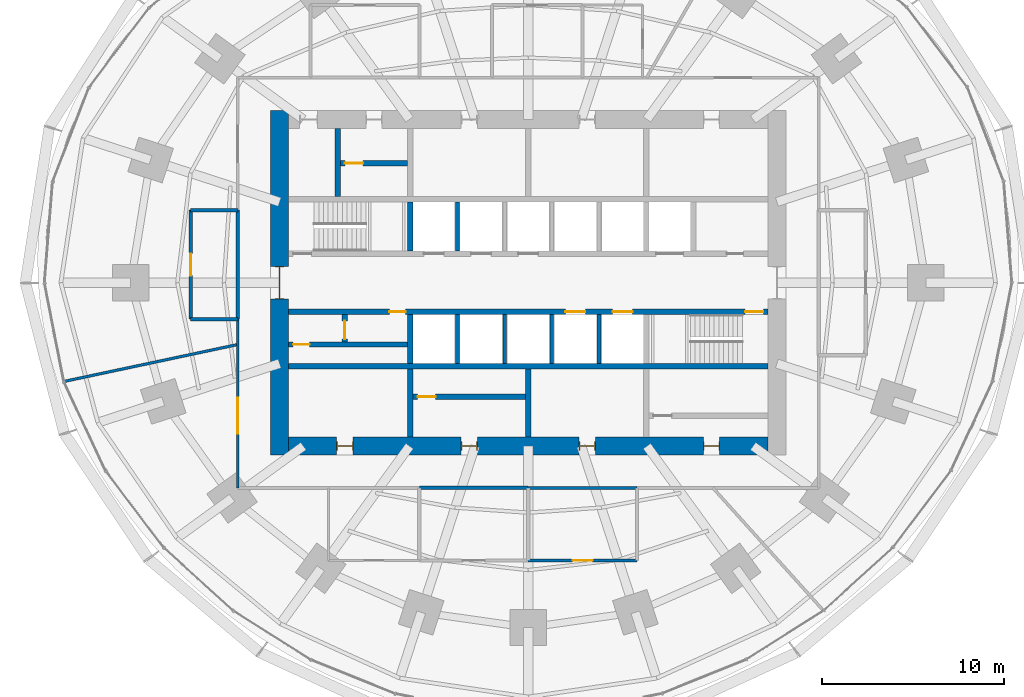
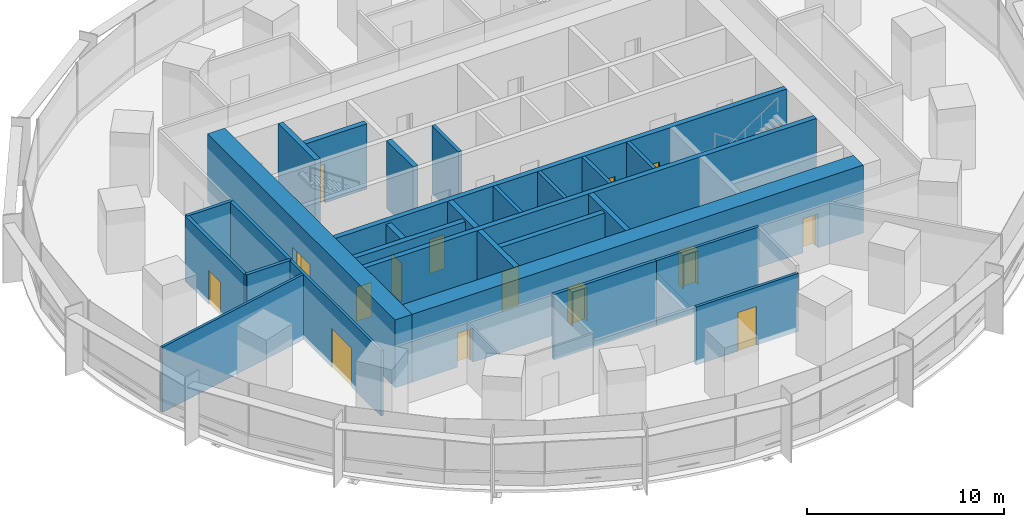
# One storey, part 11 of 15: 27 walls, 16 doors, 16 openings.
"""IFC4 building model written with IfcOpenShell, lengths in metres."""

from ifc_helpers import new_model, si_unit, direction, frame, frame_2d, origin, place, context, subcontext, project, spatial, rectangle, extrude, material, layer, layer_set, type_object, element, fill, save


model = new_model("IFC4")

# Units and contexts
model_context = context("Model", 3, precision=1e-05, world=origin(), true_north=direction((0.0, 1.0)))
body_context = subcontext(model_context, "Body", "Model", "MODEL_VIEW")
ifc_project = project(units=[si_unit("LENGTHUNIT", "METRE"), si_unit("AREAUNIT", "SQUARE_METRE"), si_unit("VOLUMEUNIT", "CUBIC_METRE"), si_unit("PLANEANGLEUNIT", "RADIAN"), si_unit("MASSUNIT", "GRAM", prefix="KILO")], contexts=[model_context])

# Site, building, storey
site_placement = place(None, origin())
site = spatial("IfcSite", under=ifc_project, at=site_placement, CompositionType="ELEMENT")
building_placement = place(site_placement, origin())
building = spatial("IfcBuilding", under=site, at=building_placement, Name="Marramba Exchange Tower", CompositionType="ELEMENT")
storey_placement = place(building_placement, frame((0.0, 0.0, 53.199951171875)))
storey = spatial("IfcBuildingStorey", under=building, at=storey_placement, Name="L12", CompositionType="ELEMENT", Elevation=53.199951171875)

# Wall, opening, door
ifc_material_1 = material(Name="Plasterboard on staggered double steel studs, acoustic insulation", Category="steel")
ifc_layer_1 = layer(ifc_material_1, 0.169921875)
ifc_layer_set_1 = layer_set([ifc_layer_1], Name="Acoustic partition 170")
wall_type_1 = type_object("IfcWallType", Name="Acoustic partition 170", PredefinedType="PARTITIONING", material=ifc_layer_set_1)
wall_1_placement = place(storey_placement, frame((0.0, -15.300048828125, 0.0), z_axis=(0.0, 0.0, 1.0), x_axis=(1.0, 0.0, 0.0)))
wall_1 = element("IfcWall", 1, at=wall_1_placement, inside=storey, type_object=wall_type_1, Name="Acoustic partition L12 11", PredefinedType="PARTITIONING", context=body_context, shape_type="SweptSolid", body=[
    extrude(rectangle(XDim=6.0, YDim=0.169921875, at=frame_2d((3.0, 0.0))), origin(), (0.0, 0.0, 1.0), 3.5859375),
])
opening_1_placement = place(wall_1_placement, frame((2.449951171875, 0.0, 0.0)))
opening_1 = element("IfcOpeningElement", 2, at=opening_1_placement, cuts=wall_1, Name="Opening D15", PredefinedType="OPENING", context=body_context, shape_type="SweptSolid", body=[
    extrude(rectangle(XDim=1.10009765625, YDim=2.39990234375, at=frame_2d((0.550048828125, 1.199951171875))), frame((0.0, 0.094970703125, 0.0), z_axis=(0.0, -1.0, 0.0), x_axis=(1.0, 0.0, 0.0)), (0.0, 0.0, 1.0), 0.18994140625),
])
ifc_material_2 = material(Name="Timber door", Category="wood")
door_type_1 = type_object("IfcDoorType", Name="Glazed meeting room door 1100x2400", OperationType="SINGLE_SWING_LEFT", PredefinedType="DOOR", material=ifc_material_2)
door_1_placement = place(opening_1_placement, origin())
door_1 = element("IfcDoor", 3, at=door_1_placement, inside=storey, type_object=door_type_1, Name="D15 Meeting Room 3 L12", OperationType="SINGLE_SWING_RIGHT", OverallHeight=2.39990234375, OverallWidth=1.10009765625, PredefinedType="DOOR", context=body_context, shape_type="SweptSolid", body=[
    extrude(rectangle(XDim=1.10009765625, YDim=2.39990234375, at=frame_2d((0.550048828125, 1.199951171875))), frame((0.0, 0.02490234375, 0.0), z_axis=(0.0, -1.0, 0.0), x_axis=(1.0, 0.0, 0.0)), (0.0, 0.0, 1.0), 0.050048828125),
])
fill(opening_1, door_1)

# Walls
wall_2_placement = place(storey_placement, frame((6.0, -11.300048828125, 0.0), z_axis=(0.0, 0.0, 1.0), x_axis=(-1.0, 0.0, 0.0)))
element("IfcWall", 4, at=wall_2_placement, inside=storey, type_object=wall_type_1, Name="Acoustic partition L12 12", PredefinedType="PARTITIONING", context=body_context, shape_type="SweptSolid", body=[
    extrude(rectangle(XDim=6.0, YDim=0.169921875, at=frame_2d((3.0, 0.0))), origin(), (0.0, 0.0, 1.0), 4.0400390625),
])
ifc_material_3 = material(Name="Concrete N50", Category="concrete")
ifc_layer_2 = layer(ifc_material_3, 0.199951171875)
ifc_layer_set_2 = layer_set([ifc_layer_2], Name="Core shaft wall 200")
wall_type_2 = type_object("IfcWallType", Name="Core shaft wall 200", PredefinedType="SHEAR", material=ifc_layer_set_2)
for number, where, z_axis, x_axis, name in (
    (5, (-3.89990234375, 1.75, 0.0), (0.0, 0.0, 1.0), (0.0, 1.0, 0.0), "Core wall SHN1 L12"),
    (6, (-3.89990234375, -1.75, 0.0), (0.0, 0.0, 1.0), (0.0, -1.0, 0.0), "Core wall SHS1 L12"),
    (7, (-1.300048828125, -1.75, 0.0), (0.0, 0.0, 1.0), (0.0, -1.0, 0.0), "Core wall SHS2 L12"),
    (8, (1.300048828125, -1.75, 0.0), (0.0, 0.0, 1.0), (0.0, -1.0, 0.0), "Core wall SHS3 L12"),
    (9, (3.89990234375, -1.75, 0.0), (0.0, 0.0, 1.0), (0.0, -1.0, 0.0), "Core wall SHS4 L12"),
):
    element("IfcWall", number, at=place(storey_placement, frame(where, z_axis=z_axis, x_axis=x_axis)), inside=storey, type_object=wall_type_2, Name=name, PredefinedType="SHEAR", context=body_context, shape_type="SweptSolid", body=[
        extrude(rectangle(XDim=2.699951171875, YDim=0.199951171875, at=frame_2d((1.35009765625, 0.0))), origin(), (0.0, 0.0, 1.0), 4.199951171875),
    ])

# Wall, openings, doors
ifc_layer_3 = layer(ifc_material_3, 1.0)
ifc_layer_set_3 = layer_set([ifc_layer_3], Name="Core wall 1000")
wall_type_3 = type_object("IfcWallType", Name="Core wall 1000", PredefinedType="SHEAR", material=ifc_layer_set_3)
wall_3_placement = place(storey_placement, frame((-13.199951171875, -9.0, 0.0), z_axis=(0.0, 0.0, 1.0), x_axis=(1.0, 0.0, 0.0)))
wall_3 = element("IfcWall", 10, at=wall_3_placement, inside=storey, type_object=wall_type_3, Name="Core wall S L12", PredefinedType="SHEAR", context=body_context, shape_type="SweptSolid", body=[
    extrude(rectangle(XDim=26.39990234375, YDim=1.0, at=frame_2d((13.199951171875, 0.0))), origin(), (0.0, 0.0, 1.0), 4.199951171875),
])
opening_2_placement = place(wall_3_placement, frame((2.64990234375, 0.0, 0.0)))
opening_2 = element("IfcOpeningElement", 11, at=opening_2_placement, cuts=wall_3, Name="Opening D5", PredefinedType="OPENING", context=body_context, shape_type="SweptSolid", body=[
    extrude(rectangle(XDim=0.89990234375, YDim=2.10009765625, at=frame_2d((0.449951171875, 1.050048828125))), frame((0.0, 0.510009765625, 0.0), z_axis=(0.0, -1.0, 0.0), x_axis=(1.0, 0.0, 0.0)), (0.0, 0.0, 1.0), 1.02001953125),
])
opening_3_placement = place(wall_3_placement, frame((9.5, 0.0, 0.0)))
opening_3 = element("IfcOpeningElement", 12, at=opening_3_placement, cuts=wall_3, Name="Opening D5", PredefinedType="OPENING", context=body_context, shape_type="SweptSolid", body=[
    extrude(rectangle(XDim=0.89990234375, YDim=2.10009765625, at=frame_2d((0.449951171875, 1.050048828125))), frame((0.0, 0.510009765625, 0.0), z_axis=(0.0, -1.0, 0.0), x_axis=(1.0, 0.0, 0.0)), (0.0, 0.0, 1.0), 1.02001953125),
])
opening_4_placement = place(wall_3_placement, frame((16.0, 0.0, 0.0)))
opening_4 = element("IfcOpeningElement", 13, at=opening_4_placement, cuts=wall_3, Name="Opening D5", PredefinedType="OPENING", context=body_context, shape_type="SweptSolid", body=[
    extrude(rectangle(XDim=0.89990234375, YDim=2.10009765625, at=frame_2d((0.449951171875, 1.050048828125))), frame((0.0, 0.510009765625, 0.0), z_axis=(0.0, -1.0, 0.0), x_axis=(1.0, 0.0, 0.0)), (0.0, 0.0, 1.0), 1.02001953125),
])
opening_5_placement = place(wall_3_placement, frame((22.85009765625, 0.0, 0.0)))
opening_5 = element("IfcOpeningElement", 14, at=opening_5_placement, cuts=wall_3, Name="Opening D5", PredefinedType="OPENING", context=body_context, shape_type="SweptSolid", body=[
    extrude(rectangle(XDim=0.89990234375, YDim=2.10009765625, at=frame_2d((0.449951171875, 1.050048828125))), frame((0.0, 0.510009765625, 0.0), z_axis=(0.0, -1.0, 0.0), x_axis=(1.0, 0.0, 0.0)), (0.0, 0.0, 1.0), 1.02001953125),
])
ifc_material_4 = material(Name="Steel-framed door", Category="steel")
door_type_2 = type_object("IfcDoorType", Name="Service door 900x2100", OperationType="SINGLE_SWING_LEFT", PredefinedType="DOOR", material=ifc_material_4)
door_2_placement = place(opening_2_placement, origin())
door_2 = element("IfcDoor", 15, at=door_2_placement, inside=storey, type_object=door_type_2, Name="D5 ahu L12", OperationType="SINGLE_SWING_LEFT", OverallHeight=2.10009765625, OverallWidth=0.89990234375, PredefinedType="DOOR", context=body_context, shape_type="SweptSolid", body=[
    extrude(rectangle(XDim=0.81982421875, YDim=2.06005859375, at=frame_2d((0.449951171875, 1.030029296875))), frame((0.0, 0.02490234375, 0.0), z_axis=(0.0, -1.0, 0.0), x_axis=(1.0, 0.0, 0.0)), (0.0, 0.0, 1.0), 0.050048828125),
    extrude(rectangle(XDim=0.04, YDim=2.10009765625, at=frame_2d((0.02001953125, 1.050048828125))), frame((0.0, 0.25, 0.0), z_axis=(0.0, -1.0, 0.0), x_axis=(1.0, 0.0, 0.0)), (0.0, 0.0, 1.0), 0.5),
    extrude(rectangle(XDim=0.04, YDim=2.10009765625, at=frame_2d((0.8798828125, 1.050048828125))), frame((0.0, 0.25, 0.0), z_axis=(0.0, -1.0, 0.0), x_axis=(1.0, 0.0, 0.0)), (0.0, 0.0, 1.0), 0.5),
    extrude(rectangle(XDim=0.81982421875, YDim=0.04, at=frame_2d((0.449951171875, 2.080078125))), frame((0.0, 0.25, 0.0), z_axis=(0.0, -1.0, 0.0), x_axis=(1.0, 0.0, 0.0)), (0.0, 0.0, 1.0), 0.5),
])
fill(opening_2, door_2)
door_3_placement = place(opening_3_placement, origin())
door_3 = element("IfcDoor", 16, at=door_3_placement, inside=storey, type_object=door_type_2, Name="D5 store L12", OperationType="SINGLE_SWING_RIGHT", OverallHeight=2.10009765625, OverallWidth=0.89990234375, PredefinedType="DOOR", context=body_context, shape_type="SweptSolid", body=[
    extrude(rectangle(XDim=0.81982421875, YDim=2.06005859375, at=frame_2d((0.449951171875, 1.030029296875))), frame((0.0, 0.02490234375, 0.0), z_axis=(0.0, -1.0, 0.0), x_axis=(1.0, 0.0, 0.0)), (0.0, 0.0, 1.0), 0.050048828125),
    extrude(rectangle(XDim=0.04, YDim=2.10009765625, at=frame_2d((0.02001953125, 1.050048828125))), frame((0.0, 0.25, 0.0), z_axis=(0.0, -1.0, 0.0), x_axis=(1.0, 0.0, 0.0)), (0.0, 0.0, 1.0), 0.5),
    extrude(rectangle(XDim=0.04, YDim=2.10009765625, at=frame_2d((0.8798828125, 1.050048828125))), frame((0.0, 0.25, 0.0), z_axis=(0.0, -1.0, 0.0), x_axis=(1.0, 0.0, 0.0)), (0.0, 0.0, 1.0), 0.5),
    extrude(rectangle(XDim=0.81982421875, YDim=0.04, at=frame_2d((0.449951171875, 2.080078125))), frame((0.0, 0.25, 0.0), z_axis=(0.0, -1.0, 0.0), x_axis=(1.0, 0.0, 0.0)), (0.0, 0.0, 1.0), 0.5),
])
fill(opening_3, door_3)
door_4_placement = place(opening_4_placement, origin())
door_4 = element("IfcDoor", 17, at=door_4_placement, inside=storey, type_object=door_type_2, Name="D5 switch L12", OperationType="SINGLE_SWING_RIGHT", OverallHeight=2.10009765625, OverallWidth=0.89990234375, PredefinedType="DOOR", context=body_context, shape_type="SweptSolid", body=[
    extrude(rectangle(XDim=0.81982421875, YDim=2.06005859375, at=frame_2d((0.449951171875, 1.030029296875))), frame((0.0, 0.02490234375, 0.0), z_axis=(0.0, -1.0, 0.0), x_axis=(1.0, 0.0, 0.0)), (0.0, 0.0, 1.0), 0.050048828125),
    extrude(rectangle(XDim=0.04, YDim=2.10009765625, at=frame_2d((0.02001953125, 1.050048828125))), frame((0.0, 0.25, 0.0), z_axis=(0.0, -1.0, 0.0), x_axis=(1.0, 0.0, 0.0)), (0.0, 0.0, 1.0), 0.5),
    extrude(rectangle(XDim=0.04, YDim=2.10009765625, at=frame_2d((0.8798828125, 1.050048828125))), frame((0.0, 0.25, 0.0), z_axis=(0.0, -1.0, 0.0), x_axis=(1.0, 0.0, 0.0)), (0.0, 0.0, 1.0), 0.5),
    extrude(rectangle(XDim=0.81982421875, YDim=0.04, at=frame_2d((0.449951171875, 2.080078125))), frame((0.0, 0.25, 0.0), z_axis=(0.0, -1.0, 0.0), x_axis=(1.0, 0.0, 0.0)), (0.0, 0.0, 1.0), 0.5),
])
fill(opening_4, door_4)
door_5_placement = place(opening_5_placement, origin())
door_5 = element("IfcDoor", 18, at=door_5_placement, inside=storey, type_object=door_type_2, Name="D5 cstore L12", OperationType="SINGLE_SWING_RIGHT", OverallHeight=2.10009765625, OverallWidth=0.89990234375, PredefinedType="DOOR", context=body_context, shape_type="SweptSolid", body=[
    extrude(rectangle(XDim=0.81982421875, YDim=2.06005859375, at=frame_2d((0.449951171875, 1.030029296875))), frame((0.0, 0.02490234375, 0.0), z_axis=(0.0, -1.0, 0.0), x_axis=(1.0, 0.0, 0.0)), (0.0, 0.0, 1.0), 0.050048828125),
    extrude(rectangle(XDim=0.04, YDim=2.10009765625, at=frame_2d((0.02001953125, 1.050048828125))), frame((0.0, 0.25, 0.0), z_axis=(0.0, -1.0, 0.0), x_axis=(1.0, 0.0, 0.0)), (0.0, 0.0, 1.0), 0.5),
    extrude(rectangle(XDim=0.04, YDim=2.10009765625, at=frame_2d((0.8798828125, 1.050048828125))), frame((0.0, 0.25, 0.0), z_axis=(0.0, -1.0, 0.0), x_axis=(1.0, 0.0, 0.0)), (0.0, 0.0, 1.0), 0.5),
    extrude(rectangle(XDim=0.81982421875, YDim=0.04, at=frame_2d((0.449951171875, 2.080078125))), frame((0.0, 0.25, 0.0), z_axis=(0.0, -1.0, 0.0), x_axis=(1.0, 0.0, 0.0)), (0.0, 0.0, 1.0), 0.5),
])
fill(opening_5, door_5)

# Wall, opening, door
wall_4_placement = place(storey_placement, frame((-13.699951171875, 9.5, 0.0), z_axis=(0.0, 0.0, 1.0), x_axis=(0.0, -1.0, 0.0)))
wall_4 = element("IfcWall", 19, at=wall_4_placement, inside=storey, type_object=wall_type_3, Name="Core wall W L12", PredefinedType="SHEAR", context=body_context, shape_type="SweptSolid", body=[
    extrude(rectangle(XDim=19.0, YDim=1.0, at=frame_2d((9.5, 0.0))), origin(), (0.0, 0.0, 1.0), 4.199951171875),
])
opening_6_placement = place(wall_4_placement, frame((8.60009765625, 0.0, 0.0)))
opening_6 = element("IfcOpeningElement", 20, at=opening_6_placement, cuts=wall_4, Name="Opening D1", PredefinedType="OPENING", context=body_context, shape_type="SweptSolid", body=[
    extrude(rectangle(XDim=1.800048828125, YDim=2.39990234375, at=frame_2d((0.89990234375, 1.199951171875))), frame((0.0, 0.510009765625, 0.0), z_axis=(0.0, -1.0, 0.0), x_axis=(1.0, 0.0, 0.0)), (0.0, 0.0, 1.0), 1.02001953125),
])
door_type_3 = type_object("IfcDoorType", Name="Lobby exit door 1800x2400", OperationType="DOUBLE_DOOR_SINGLE_SWING", PredefinedType="DOOR", material=ifc_material_4)
door_6_placement = place(opening_6_placement, origin())
door_6 = element("IfcDoor", 21, at=door_6_placement, inside=storey, type_object=door_type_3, Name="D1 lobby exit west L12", OperationType="DOUBLE_DOOR_SINGLE_SWING", OverallHeight=2.39990234375, OverallWidth=1.800048828125, PredefinedType="DOOR", context=body_context, shape_type="SweptSolid", body=[
    extrude(rectangle(XDim=1.719970703125, YDim=2.35986328125, at=frame_2d((0.89990234375, 1.179931640625))), frame((0.0, 0.02490234375, 0.0), z_axis=(0.0, -1.0, 0.0), x_axis=(1.0, 0.0, 0.0)), (0.0, 0.0, 1.0), 0.050048828125),
    extrude(rectangle(XDim=0.04, YDim=2.39990234375, at=frame_2d((0.02001953125, 1.199951171875))), frame((0.0, 0.25, 0.0), z_axis=(0.0, -1.0, 0.0), x_axis=(1.0, 0.0, 0.0)), (0.0, 0.0, 1.0), 0.5),
    extrude(rectangle(XDim=0.04, YDim=2.39990234375, at=frame_2d((1.780029296875, 1.199951171875))), frame((0.0, 0.25, 0.0), z_axis=(0.0, -1.0, 0.0), x_axis=(1.0, 0.0, 0.0)), (0.0, 0.0, 1.0), 0.5),
    extrude(rectangle(XDim=1.719970703125, YDim=0.04, at=frame_2d((0.89990234375, 2.3798828125))), frame((0.0, 0.25, 0.0), z_axis=(0.0, -1.0, 0.0), x_axis=(1.0, 0.0, 0.0)), (0.0, 0.0, 1.0), 0.5),
])
fill(opening_6, door_6)

# Wall, openings, doors
ifc_layer_4 = layer(ifc_material_3, 0.300048828125)
ifc_layer_set_4 = layer_set([ifc_layer_4], Name="Core wall 300")
wall_type_4 = type_object("IfcWallType", Name="Core wall 300", PredefinedType="SHEAR", material=ifc_layer_set_4)
wall_5_placement = place(storey_placement, frame((-13.199951171875, -1.60009765625, 0.0), z_axis=(0.0, 0.0, 1.0), x_axis=(1.0, 0.0, 0.0)))
wall_5 = element("IfcWall", 22, at=wall_5_placement, inside=storey, type_object=wall_type_4, Name="Core wall LS L12", PredefinedType="SHEAR", context=body_context, shape_type="SweptSolid", body=[
    extrude(rectangle(XDim=26.39990234375, YDim=0.300048828125, at=frame_2d((13.199951171875, 0.0))), origin(), (0.0, 0.0, 1.0), 4.199951171875),
])
opening_7_placement = place(wall_5_placement, frame((25.14990234375, 0.0, 0.0)))
opening_7 = element("IfcOpeningElement", 23, at=opening_7_placement, cuts=wall_5, Name="Opening D2", PredefinedType="OPENING", context=body_context, shape_type="SweptSolid", body=[
    extrude(rectangle(XDim=1.0, YDim=2.10009765625, at=frame_2d((0.5, 1.050048828125))), frame((0.0, 0.159912109375, 0.0), z_axis=(0.0, -1.0, 0.0), x_axis=(1.0, 0.0, 0.0)), (0.0, 0.0, 1.0), 0.320068359375),
])
opening_8_placement = place(wall_5_placement, frame((15.25, 0.0, 0.0)))
opening_8 = element("IfcOpeningElement", 24, at=opening_8_placement, cuts=wall_5, Name="Opening LD2", PredefinedType="OPENING", context=body_context, shape_type="SweptSolid", body=[
    extrude(rectangle(XDim=1.10009765625, YDim=2.300048828125, at=frame_2d((0.550048828125, 1.14990234375))), frame((0.0, 0.159912109375, 0.0), z_axis=(0.0, -1.0, 0.0), x_axis=(1.0, 0.0, 0.0)), (0.0, 0.0, 1.0), 0.320068359375),
])
opening_9_placement = place(wall_5_placement, frame((17.85009765625, 0.0, 0.0)))
opening_9 = element("IfcOpeningElement", 25, at=opening_9_placement, cuts=wall_5, Name="Opening LD2", PredefinedType="OPENING", context=body_context, shape_type="SweptSolid", body=[
    extrude(rectangle(XDim=1.10009765625, YDim=2.300048828125, at=frame_2d((0.550048828125, 1.14990234375))), frame((0.0, 0.159912109375, 0.0), z_axis=(0.0, -1.0, 0.0), x_axis=(1.0, 0.0, 0.0)), (0.0, 0.0, 1.0), 0.320068359375),
])
opening_10_placement = place(wall_5_placement, frame((5.550048828125, 0.0, 0.0)))
opening_10 = element("IfcOpeningElement", 26, at=opening_10_placement, cuts=wall_5, Name="Opening D5", PredefinedType="OPENING", context=body_context, shape_type="SweptSolid", body=[
    extrude(rectangle(XDim=0.89990234375, YDim=2.10009765625, at=frame_2d((0.449951171875, 1.050048828125))), frame((0.0, 0.159912109375, 0.0), z_axis=(0.0, -1.0, 0.0), x_axis=(1.0, 0.0, 0.0)), (0.0, 0.0, 1.0), 0.320068359375),
])
door_type_4 = type_object("IfcDoorType", Name="Emergency lift landing door 1100x2300", OperationType="SLIDING_TO_LEFT", PredefinedType="DOOR", material=ifc_material_4)
door_7_placement = place(opening_8_placement, frame((1.10009765625, 0.0, 0.0), z_axis=(0.0, 0.0, 1.0), x_axis=(-1.0, 0.0, 0.0)))
door_7 = element("IfcDoor", 27, at=door_7_placement, inside=storey, type_object=door_type_4, Name="FL1 landing door L12", OperationType="SLIDING_TO_RIGHT", OverallHeight=2.300048828125, OverallWidth=1.10009765625, PredefinedType="DOOR", context=body_context, shape_type="SweptSolid", body=[
    extrude(rectangle(XDim=1.10009765625, YDim=2.300048828125, at=frame_2d((0.550048828125, 1.14990234375))), frame((0.0, 0.025146484375, 0.0), z_axis=(0.0, -1.0, 0.0), x_axis=(1.0, 0.0, 0.0)), (0.0, 0.0, 1.0), 0.050048828125),
])
fill(opening_8, door_7)
door_8_placement = place(opening_9_placement, frame((1.10009765625, 0.0, 0.0), z_axis=(0.0, 0.0, 1.0), x_axis=(-1.0, 0.0, 0.0)))
door_8 = element("IfcDoor", 28, at=door_8_placement, inside=storey, type_object=door_type_4, Name="FL2 landing door L12", OperationType="SLIDING_TO_LEFT", OverallHeight=2.300048828125, OverallWidth=1.10009765625, PredefinedType="DOOR", context=body_context, shape_type="SweptSolid", body=[
    extrude(rectangle(XDim=1.10009765625, YDim=2.300048828125, at=frame_2d((0.550048828125, 1.14990234375))), frame((0.0, 0.025146484375, 0.0), z_axis=(0.0, -1.0, 0.0), x_axis=(1.0, 0.0, 0.0)), (0.0, 0.0, 1.0), 0.050048828125),
])
fill(opening_9, door_8)
door_9_placement = place(opening_10_placement, frame((0.89990234375, 0.0, 0.0), z_axis=(0.0, 0.0, 1.0), x_axis=(-1.0, 0.0, 0.0)))
door_9 = element("IfcDoor", 29, at=door_9_placement, inside=storey, type_object=door_type_2, Name="D5 electrical riser L12", OperationType="SINGLE_SWING_LEFT", OverallHeight=2.10009765625, OverallWidth=0.89990234375, PredefinedType="DOOR", context=body_context, shape_type="SweptSolid", body=[
    extrude(rectangle(XDim=0.89990234375, YDim=2.10009765625, at=frame_2d((0.449951171875, 1.050048828125))), frame((0.0, 0.025146484375, 0.0), z_axis=(0.0, -1.0, 0.0), x_axis=(1.0, 0.0, 0.0)), (0.0, 0.0, 1.0), 0.050048828125),
])
fill(opening_10, door_9)
door_type_5 = type_object("IfcDoorType", Name="Stair door 1000x2100", OperationType="SINGLE_SWING_LEFT", PredefinedType="DOOR", material=ifc_material_4)
door_10_placement = place(opening_7_placement, frame((1.0, 0.0, 0.0), z_axis=(0.0, 0.0, 1.0), x_axis=(-1.0, 0.0, 0.0)))
door_10 = element("IfcDoor", 30, at=door_10_placement, inside=storey, type_object=door_type_5, Name="D2 stair ST2 L12", OperationType="SINGLE_SWING_LEFT", OverallHeight=2.10009765625, OverallWidth=1.0, PredefinedType="DOOR", context=body_context, shape_type="SweptSolid", body=[
    extrude(rectangle(XDim=1.0, YDim=2.10009765625, at=frame_2d((0.5, 1.050048828125))), frame((0.0, 0.025146484375, 0.0), z_axis=(0.0, -1.0, 0.0), x_axis=(1.0, 0.0, 0.0)), (0.0, 0.0, 1.0), 0.050048828125),
])
fill(opening_7, door_10)

# Walls
wall_6_placement = place(storey_placement, frame((-13.199951171875, -4.60009765625, 0.0), z_axis=(0.0, 0.0, 1.0), x_axis=(1.0, 0.0, 0.0)))
element("IfcWall", 31, at=wall_6_placement, inside=storey, type_object=wall_type_4, Name="Core wall BS L12", PredefinedType="SHEAR", context=body_context, shape_type="SweptSolid", body=[
    extrude(rectangle(XDim=26.39990234375, YDim=0.300048828125, at=frame_2d((13.199951171875, 0.0))), origin(), (0.0, 0.0, 1.0), 4.199951171875),
])
for number, where, z_axis, x_axis, name in (
    (32, (-6.5, 1.75, 0.0), (0.0, 0.0, 1.0), (0.0, 1.0, 0.0), "Core wall X0Na L12"),
    (33, (-6.5, -1.75, 0.0), (0.0, 0.0, 1.0), (0.0, -1.0, 0.0), "Core wall X0Sa L12"),
):
    element("IfcWall", number, at=place(storey_placement, frame(where, z_axis=z_axis, x_axis=x_axis)), inside=storey, type_object=wall_type_4, Name=name, PredefinedType="SHEAR", context=body_context, shape_type="SweptSolid", body=[
        extrude(rectangle(XDim=2.699951171875, YDim=0.300048828125, at=frame_2d((1.35009765625, 0.0))), origin(), (0.0, 0.0, 1.0), 4.199951171875),
    ])
for number, where, z_axis, x_axis, name in (
    (34, (-6.5, -4.75, 0.0), (0.0, 0.0, 1.0), (0.0, -1.0, 0.0), "Core wall X0Sb L12"),
    (35, (0.0, -4.75, 0.0), (0.0, 0.0, 1.0), (0.0, -1.0, 0.0), "Core wall MS L12"),
    (36, (-10.5, 4.75, 0.0), (0.0, 0.0, 1.0), (0.0, 1.0, 0.0), "Core wall WD L12"),
):
    element("IfcWall", number, at=place(storey_placement, frame(where, z_axis=z_axis, x_axis=x_axis)), inside=storey, type_object=wall_type_4, Name=name, PredefinedType="SHEAR", context=body_context, shape_type="SweptSolid", body=[
        extrude(rectangle(XDim=3.75, YDim=0.300048828125, at=frame_2d((1.875, 0.0))), origin(), (0.0, 0.0, 1.0), 4.199951171875),
    ])
ifc_material_5 = material(Name="Core-filled concrete blockwork, rendered", Category="masonry")
ifc_layer_5 = layer(ifc_material_5, 0.18994140625)
ifc_layer_set_5 = layer_set([ifc_layer_5], Name="Equipment room wall 190")
wall_type_5 = type_object("IfcWallType", Name="Equipment room wall 190", PredefinedType="SOLIDWALL", material=ifc_layer_set_5)
wall_7_placement = place(storey_placement, frame((-18.60009765625, -2.0, 0.0), z_axis=(0.0, 0.0, 1.0), x_axis=(1.0, 0.0, 0.0)))
element("IfcWall", 37, at=wall_7_placement, inside=storey, type_object=wall_type_5, Name="Equipment room wall L12 01", PredefinedType="SOLIDWALL", context=body_context, shape_type="SweptSolid", body=[
    extrude(rectangle(XDim=2.60009765625, YDim=0.18994140625, at=frame_2d((1.300048828125, 0.0))), origin(), (0.0, 0.0, 1.0), 4.0400390625),
])
wall_8_placement = place(storey_placement, frame((0.0, -11.300048828125, 0.0), z_axis=(0.0, 0.0, 1.0), x_axis=(-1.0, 0.0, 0.0)))
element("IfcWall", 38, at=wall_8_placement, inside=storey, type_object=wall_type_5, Name="Equipment room wall L12 08", PredefinedType="SOLIDWALL", context=body_context, shape_type="SweptSolid", body=[
    extrude(rectangle(XDim=6.0, YDim=0.18994140625, at=frame_2d((3.0, 0.0))), origin(), (0.0, 0.0, 1.0), 4.0400390625),
])
wall_9_placement = place(storey_placement, frame((-16.0, 4.0, 0.0), z_axis=(0.0, 0.0, 1.0), x_axis=(-1.0, 0.0, 0.0)))
element("IfcWall", 39, at=wall_9_placement, inside=storey, type_object=wall_type_5, Name="Equipment room wall L12 37", PredefinedType="SOLIDWALL", context=body_context, shape_type="SweptSolid", body=[
    extrude(rectangle(XDim=2.60009765625, YDim=0.18994140625, at=frame_2d((1.300048828125, 0.0))), origin(), (0.0, 0.0, 1.0), 4.0400390625),
])
wall_10_placement = place(storey_placement, frame((-16.0, -2.0, 0.0), z_axis=(0.0, 0.0, 1.0), x_axis=(0.0, 1.0, 0.0)))
element("IfcWall", 40, at=wall_10_placement, inside=storey, type_object=wall_type_5, Name="Equipment room wall L12 38", PredefinedType="SOLIDWALL", context=body_context, shape_type="SweptSolid", body=[
    extrude(rectangle(XDim=6.0, YDim=0.18994140625, at=frame_2d((3.0, 0.0))), origin(), (0.0, 0.0, 1.0), 4.0400390625),
])

# Wall, opening, door
wall_11_placement = place(storey_placement, frame((-18.60009765625, 4.0, 0.0), z_axis=(0.0, 0.0, 1.0), x_axis=(0.0, -1.0, 0.0)))
wall_11 = element("IfcWall", 41, at=wall_11_placement, inside=storey, type_object=wall_type_5, Name="Equipment room wall L12 39", PredefinedType="SOLIDWALL", context=body_context, shape_type="SweptSolid", body=[
    extrude(rectangle(XDim=6.0, YDim=0.18994140625, at=frame_2d((3.0, 0.0))), origin(), (0.0, 0.0, 1.0), 4.0400390625),
])
opening_11_placement = place(wall_11_placement, frame((2.39990234375, 0.0, 0.0)))
opening_11 = element("IfcOpeningElement", 42, at=opening_11_placement, cuts=wall_11, Name="Opening D16", PredefinedType="OPENING", context=body_context, shape_type="SweptSolid", body=[
    extrude(rectangle(XDim=1.199951171875, YDim=2.10009765625, at=frame_2d((0.60009765625, 1.050048828125))), frame((0.0, 0.10498046875, 0.0), z_axis=(0.0, -1.0, 0.0), x_axis=(1.0, 0.0, 0.0)), (0.0, 0.0, 1.0), 0.2099609375),
])
door_type_6 = type_object("IfcDoorType", Name="Equipment room door 1200x2100", OperationType="SINGLE_SWING_LEFT", PredefinedType="DOOR", material=ifc_material_4)
door_11_placement = place(opening_11_placement, origin())
door_11 = element("IfcDoor", 43, at=door_11_placement, inside=storey, type_object=door_type_6, Name="D16 Data Room 2 L12", OperationType="SINGLE_SWING_RIGHT", OverallHeight=2.10009765625, OverallWidth=1.199951171875, PredefinedType="DOOR", context=body_context, shape_type="SweptSolid", body=[
    extrude(rectangle(XDim=1.199951171875, YDim=2.10009765625, at=frame_2d((0.60009765625, 1.050048828125))), frame((0.0, 0.02490234375, 0.0), z_axis=(0.0, -1.0, 0.0), x_axis=(1.0, 0.0, 0.0)), (0.0, 0.0, 1.0), 0.050048828125),
])
fill(opening_11, door_11)

ifc_material_6 = material(Name="Core-filled concrete blockwork", Category="masonry")
ifc_layer_6 = layer(ifc_material_6, 0.300048828125)
ifc_layer_set_6 = layer_set([ifc_layer_6], Name="Riser enclosure wall 300")
wall_type_6 = type_object("IfcWallType", Name="Riser enclosure wall 300", PredefinedType="SOLIDWALL", material=ifc_layer_set_6)
wall_12_placement = place(storey_placement, frame((-13.199951171875, -3.39990234375, 0.0), z_axis=(0.0, 0.0, 1.0), x_axis=(1.0, 0.0, 0.0)))
wall_12 = element("IfcWall", 44, at=wall_12_placement, inside=storey, type_object=wall_type_6, Name="Riser enclosure wall L12", PredefinedType="SOLIDWALL", context=body_context, shape_type="SweptSolid", body=[
    extrude(rectangle(XDim=6.550048828125, YDim=0.300048828125, at=frame_2d((3.27490234375, 0.0))), origin(), (0.0, 0.0, 1.0), 4.0400390625),
])
opening_12_placement = place(wall_12_placement, frame((0.25, 0.0, 0.0)))
opening_12 = element("IfcOpeningElement", 45, at=opening_12_placement, cuts=wall_12, Name="Opening D5", PredefinedType="OPENING", context=body_context, shape_type="SweptSolid", body=[
    extrude(rectangle(XDim=0.89990234375, YDim=2.10009765625, at=frame_2d((0.449951171875, 1.050048828125))), frame((0.0, 0.159912109375, 0.0), z_axis=(0.0, -1.0, 0.0), x_axis=(1.0, 0.0, 0.0)), (0.0, 0.0, 1.0), 0.320068359375),
])
door_12_placement = place(opening_12_placement, origin())
door_12 = element("IfcDoor", 46, at=door_12_placement, inside=storey, type_object=door_type_2, Name="D5 electrical riser back L12", OperationType="SINGLE_SWING_LEFT", OverallHeight=2.10009765625, OverallWidth=0.89990234375, PredefinedType="DOOR", context=body_context, shape_type="SweptSolid", body=[
    extrude(rectangle(XDim=0.89990234375, YDim=2.10009765625, at=frame_2d((0.449951171875, 1.050048828125))), frame((0.0, 0.02490234375, 0.0), z_axis=(0.0, -1.0, 0.0), x_axis=(1.0, 0.0, 0.0)), (0.0, 0.0, 1.0), 0.050048828125),
])
fill(opening_12, door_12)

ifc_material_7 = material(Name="Plasterboard on steel studs, insulated, unrated", Category="steel")
ifc_layer_7 = layer(ifc_material_7, 0.300048828125)
ifc_layer_set_7 = layer_set([ifc_layer_7], Name="Store partition 300")
wall_type_7 = type_object("IfcWallType", Name="Store partition 300", PredefinedType="PARTITIONING", material=ifc_layer_set_7)
wall_13_placement = place(storey_placement, frame((-10.35009765625, 6.580078125, 0.0), z_axis=(0.0, 0.0, 1.0), x_axis=(1.0, 0.0, 0.0)))
wall_13 = element("IfcWall", 47, at=wall_13_placement, inside=storey, type_object=wall_type_7, Name="Store partition L12 cleaner", PredefinedType="PARTITIONING", context=body_context, shape_type="SweptSolid", body=[
    extrude(rectangle(XDim=3.7001953125, YDim=0.300048828125, at=frame_2d((1.85009765625, 0.0))), origin(), (0.0, 0.0, 1.0), 4.0400390625),
])
opening_13_placement = place(wall_13_placement, frame((0.25, 0.0, 0.0)))
opening_13 = element("IfcOpeningElement", 48, at=opening_13_placement, cuts=wall_13, Name="Opening D9", PredefinedType="OPENING", context=body_context, shape_type="SweptSolid", body=[
    extrude(rectangle(XDim=1.0, YDim=2.39990234375, at=frame_2d((0.5, 1.199951171875))), frame((0.0, 0.159912109375, 0.0), z_axis=(0.0, -1.0, 0.0), x_axis=(1.0, 0.0, 0.0)), (0.0, 0.0, 1.0), 0.320068359375),
])
door_type_7 = type_object("IfcDoorType", Name="Room door 1000x2400", OperationType="SINGLE_SWING_LEFT", PredefinedType="DOOR", material=ifc_material_2)
door_13_placement = place(opening_13_placement, frame((1.0, 0.0, 0.0), z_axis=(0.0, 0.0, 1.0), x_axis=(-1.0, 0.0, 0.0)))
door_13 = element("IfcDoor", 49, at=door_13_placement, inside=storey, type_object=door_type_7, Name="D9 cleaning store L12", OperationType="SINGLE_SWING_RIGHT", OverallHeight=2.39990234375, OverallWidth=1.0, PredefinedType="DOOR", context=body_context, shape_type="SweptSolid", body=[
    extrude(rectangle(XDim=1.0, YDim=2.39990234375, at=frame_2d((0.5, 1.199951171875))), frame((0.0, 0.025146484375, 0.0), z_axis=(0.0, -1.0, 0.0), x_axis=(1.0, 0.0, 0.0)), (0.0, 0.0, 1.0), 0.050048828125),
])
fill(opening_13, door_13)

wall_14_placement = place(storey_placement, frame((-6.35009765625, -6.27197265625, 0.0), z_axis=(0.0, 0.0, 1.0), x_axis=(1.0, 0.0, 0.0)))
wall_14 = element("IfcWall", 50, at=wall_14_placement, inside=storey, type_object=wall_type_7, Name="Store partition L12 store", PredefinedType="PARTITIONING", context=body_context, shape_type="SweptSolid", body=[
    extrude(rectangle(XDim=6.2001953125, YDim=0.300048828125, at=frame_2d((3.10009765625, 0.0))), origin(), (0.0, 0.0, 1.0), 4.0400390625),
])
opening_14_placement = place(wall_14_placement, frame((0.25, 0.0, 0.0)))
opening_14 = element("IfcOpeningElement", 51, at=opening_14_placement, cuts=wall_14, Name="Opening D9", PredefinedType="OPENING", context=body_context, shape_type="SweptSolid", body=[
    extrude(rectangle(XDim=1.0, YDim=2.39990234375, at=frame_2d((0.5, 1.199951171875))), frame((0.0, 0.159912109375, 0.0), z_axis=(0.0, -1.0, 0.0), x_axis=(1.0, 0.0, 0.0)), (0.0, 0.0, 1.0), 0.320068359375),
])
door_14_placement = place(opening_14_placement, origin())
door_14 = element("IfcDoor", 52, at=door_14_placement, inside=storey, type_object=door_type_7, Name="D9 stationery store L12", OperationType="SINGLE_SWING_LEFT", OverallHeight=2.39990234375, OverallWidth=1.0, PredefinedType="DOOR", context=body_context, shape_type="SweptSolid", body=[
    extrude(rectangle(XDim=1.0, YDim=2.39990234375, at=frame_2d((0.5, 1.199951171875))), frame((0.0, 0.02490234375, 0.0), z_axis=(0.0, -1.0, 0.0), x_axis=(1.0, 0.0, 0.0)), (0.0, 0.0, 1.0), 0.050048828125),
])
fill(opening_14, door_14)

wall_15_placement = place(storey_placement, frame((-10.10009765625, -3.25, 0.0), z_axis=(0.0, 0.0, 1.0), x_axis=(0.0, 1.0, 0.0)))
wall_15 = element("IfcWall", 53, at=wall_15_placement, inside=storey, type_object=wall_type_7, Name="Store partition L12 tool store", PredefinedType="PARTITIONING", context=body_context, shape_type="SweptSolid", body=[
    extrude(rectangle(XDim=1.5, YDim=0.300048828125, at=frame_2d((0.75, 0.0))), origin(), (0.0, 0.0, 1.0), 4.0400390625),
])
opening_15_placement = place(wall_15_placement, frame((0.14990234375, 0.0, 0.0)))
opening_15 = element("IfcOpeningElement", 54, at=opening_15_placement, cuts=wall_15, Name="Opening D9", PredefinedType="OPENING", context=body_context, shape_type="SweptSolid", body=[
    extrude(rectangle(XDim=1.0, YDim=2.39990234375, at=frame_2d((0.5, 1.199951171875))), frame((0.0, 0.159912109375, 0.0), z_axis=(0.0, -1.0, 0.0), x_axis=(1.0, 0.0, 0.0)), (0.0, 0.0, 1.0), 0.320068359375),
])
door_15_placement = place(opening_15_placement, origin())
door_15 = element("IfcDoor", 55, at=door_15_placement, inside=storey, type_object=door_type_7, Name="D9 tool store L12", OperationType="SINGLE_SWING_LEFT", OverallHeight=2.39990234375, OverallWidth=1.0, PredefinedType="DOOR", context=body_context, shape_type="SweptSolid", body=[
    extrude(rectangle(XDim=1.0, YDim=2.39990234375, at=frame_2d((0.5, 1.199951171875))), frame((0.0, 0.02490234375, 0.0), z_axis=(0.0, -1.0, 0.0), x_axis=(1.0, 0.0, 0.0)), (0.0, 0.0, 1.0), 0.050048828125),
])
fill(opening_15, door_15)

# Wall
ifc_material_8 = material(Name="Fire-rated plasterboard on steel studs, acoustic insulation", Category="steel")
ifc_layer_8 = layer(ifc_material_8, 0.14990234375)
ifc_layer_set_8 = layer_set([ifc_layer_8], Name="Tenancy wall 150")
wall_type_8 = type_object("IfcWallType", Name="Tenancy wall 150", PredefinedType="PARTITIONING", material=ifc_layer_set_8)
wall_16_placement = place(storey_placement, frame((-16.0, -3.40087890625, 0.0), z_axis=(0.0, 0.0, 1.0), x_axis=(-0.978145186273, -0.207923049637, 0.0)))
element("IfcWall", 56, at=wall_16_placement, inside=storey, type_object=wall_type_8, Name="Tenancy wall L12 02", PredefinedType="PARTITIONING", context=body_context, shape_type="SweptSolid", body=[
    extrude(rectangle(XDim=9.71875, YDim=0.14990234375, at=frame_2d((4.859375, 0.0))), origin(), (0.0, 0.0, 1.0), 4.0400390625),
])

# Wall, opening, door
wall_17_placement = place(storey_placement, frame((-16.0, -2.0, 0.0), z_axis=(0.0, 0.0, 1.0), x_axis=(0.0, -1.0, 0.0)))
wall_17 = element("IfcWall", 57, at=wall_17_placement, inside=storey, type_object=wall_type_8, Name="Tenancy wall L12 03", PredefinedType="PARTITIONING", context=body_context, shape_type="SweptSolid", body=[
    extrude(rectangle(XDim=9.300048828125, YDim=0.14990234375, at=frame_2d((4.64990234375, 0.0))), origin(), (0.0, 0.0, 1.0), 4.0400390625),
])
opening_16_placement = place(wall_17_placement, frame((4.324951171875, 0.0, 0.0)))
opening_16 = element("IfcOpeningElement", 58, at=opening_16_placement, cuts=wall_17, Name="Opening D17", PredefinedType="OPENING", context=body_context, shape_type="SweptSolid", body=[
    extrude(rectangle(XDim=2.0, YDim=2.39990234375, at=frame_2d((1.0, 1.199951171875))), frame((0.0, 0.0849609375, 0.0), z_axis=(0.0, -1.0, 0.0), x_axis=(1.0, 0.0, 0.0)), (0.0, 0.0, 1.0), 0.169921875),
])
door_type_8 = type_object("IfcDoorType", Name="Trading floor entry door pair 2000x2400", OperationType="DOUBLE_DOOR_SINGLE_SWING", PredefinedType="DOOR", material=ifc_material_4)
door_16_placement = place(opening_16_placement, origin())
door_16 = element("IfcDoor", 59, at=door_16_placement, inside=storey, type_object=door_type_8, Name="D17 Trading Floor 3 L12", OperationType="DOUBLE_DOOR_SINGLE_SWING", OverallHeight=2.39990234375, OverallWidth=2.0, PredefinedType="DOOR", context=body_context, shape_type="SweptSolid", body=[
    extrude(rectangle(XDim=2.0, YDim=2.39990234375, at=frame_2d((1.0, 1.199951171875))), frame((0.0, 0.02490234375, 0.0), z_axis=(0.0, -1.0, 0.0), x_axis=(1.0, 0.0, 0.0)), (0.0, 0.0, 1.0), 0.050048828125),
])
fill(opening_16, door_16)

save(model, "model.ifc")
